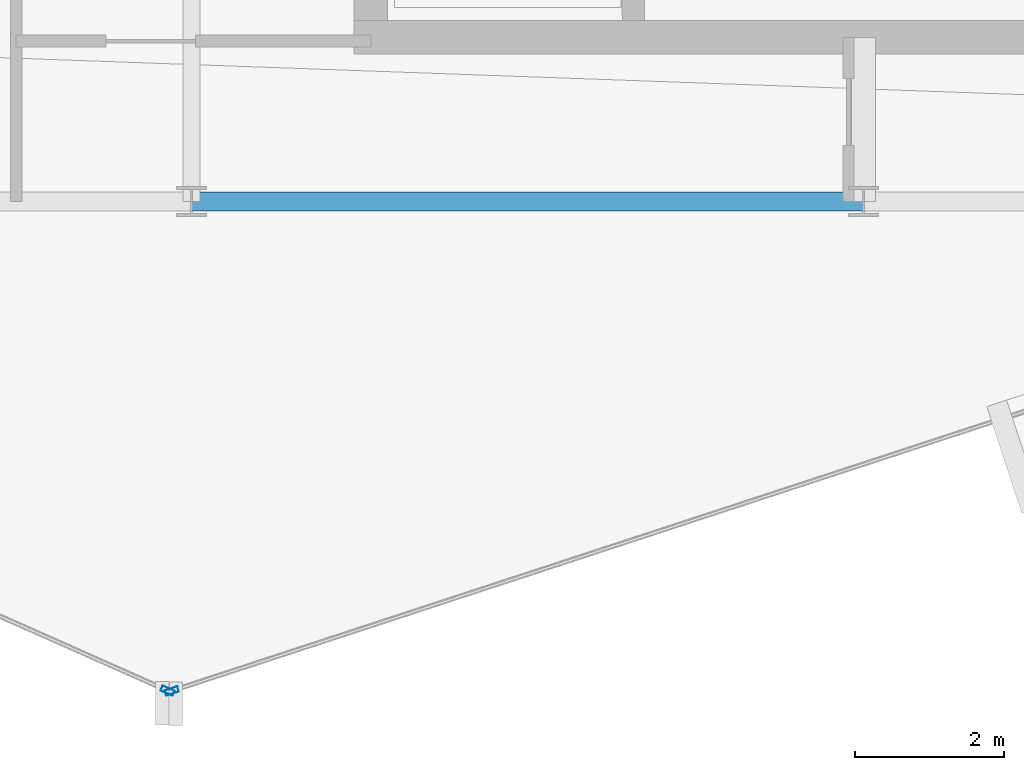
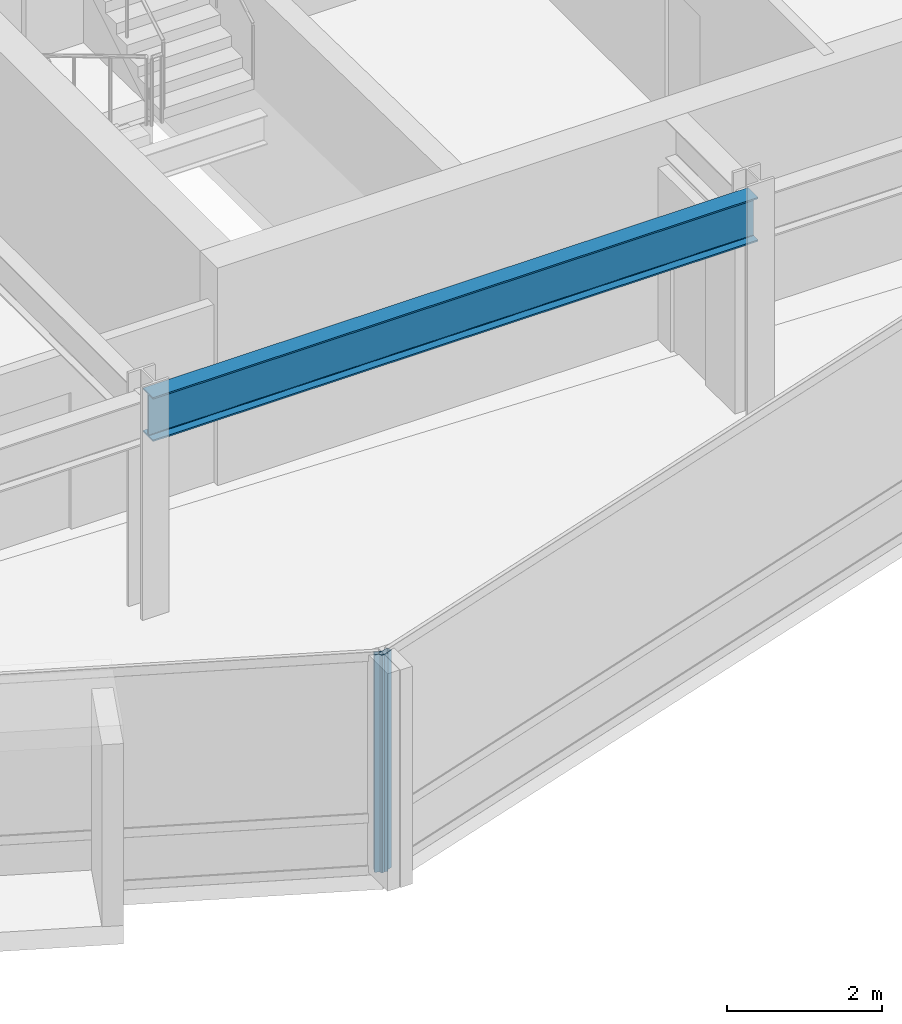
# One storey, part 4 of 27: 2 members, 1 beam, 2 elements without a shape of their own.
"""IFC4 building model written with IfcOpenShell, lengths in metres."""

from ifc_helpers import new_model, si_unit, direction, frame, origin, origin_2d, place, context, subcontext, project, spatial, hollow_rectangle, i_section, extrude, material, layer, layer_set, material_profile, profile_set, type_object, element, aggregate, save


model = new_model("IFC4")

# Units and contexts
model_context = context("Model", 3, precision=1e-05, world=origin(), true_north=direction((0.0, 1.0)))
body_context = subcontext(model_context, "Body", "Model", "MODEL_VIEW")
ifc_project = project(units=[si_unit("LENGTHUNIT", "METRE"), si_unit("AREAUNIT", "SQUARE_METRE"), si_unit("VOLUMEUNIT", "CUBIC_METRE"), si_unit("PLANEANGLEUNIT", "RADIAN"), si_unit("MASSUNIT", "GRAM", prefix="KILO")], contexts=[model_context])

# Site, building, storey
site_placement = place(None, origin())
site = spatial("IfcSite", under=ifc_project, at=site_placement, CompositionType="ELEMENT")
building_placement = place(site_placement, origin())
building = spatial("IfcBuilding", under=site, at=building_placement, Name="Solvaryn Broadcast Tower", CompositionType="ELEMENT")
storey_placement = place(building_placement, frame((0.0, 0.0, 228.39990234375)))
storey = spatial("IfcBuildingStorey", under=building, at=storey_placement, Name="L57", CompositionType="ELEMENT", Elevation=228.39990234375)

# Beam
ifc_material_1 = material(Name="Steel ASTM A992 Grade 50", Category="steel")
ifc_material_profile_1 = material_profile(ifc_material_1, i_section(OverallWidth=0.256103515625, OverallDepth=0.693115234375, WebThickness=0.014404296875, FlangeThickness=0.023681640625, FilletRadius=0.01611328125, at=origin_2d()))
ifc_profile_set_1 = profile_set([ifc_material_profile_1], Name="Steel ASTM A992 Grade 50")
beam_type = type_object("IfcBeamType", Name="BM-SP3-W27X114", PredefinedType="USERDEFINED", material=ifc_profile_set_1)
beam_placement = place(storey_placement, frame((27.0, 9.0, 3.073486328125), z_axis=(1.0, 0.0, 0.0), x_axis=(0.0, 1.0, 0.0)))
element("IfcBeam", 1, at=beam_placement, inside=storey, type_object=beam_type, Name="L57 Spandrel Beam X (27-36 @ Y=9)", ObjectType="SPANDREL", PredefinedType="USERDEFINED", context=body_context, shape_type="SweptSolid", body=[
    extrude(i_section(OverallWidth=0.256103515625, OverallDepth=0.693115234375, WebThickness=0.014404296875, FlangeThickness=0.023681640625, FilletRadius=0.01611328125, at=origin_2d()), origin(), (0.0, 0.0, 1.0), 9.0),
])

# Curtain wall, member
ifc_material_2 = material(Name="Aluminium and Terracotta Unitised Curtain Wall", Category="masonry")
ifc_layer = layer(ifc_material_2, 0.199951171875)
ifc_layer_set = layer_set([ifc_layer], Name="CW-SYS2-LOWMID")
curtain_wall_type = type_object("IfcCurtainWallType", Name="CW-SYS2-LOWMID", PredefinedType="NOTDEFINED", material=ifc_layer_set)
curtain_wall_1_placement = place(storey_placement, origin())
curtain_wall_1 = element("IfcCurtainWall", 2, at=curtain_wall_1_placement, inside=storey, type_object=curtain_wall_type, Name="L57 Curtain Wall DR3", PredefinedType="NOTDEFINED")
ifc_material_3 = material(Name="Anodised Aluminium 6063-T6", Category="aluminium")
ifc_material_profile_2 = material_profile(ifc_material_3, hollow_rectangle(XDim=0.074951171875, YDim=0.179931640625, WallThickness=0.00390625, InnerFilletRadius=0.00390625, OuterFilletRadius=0.008056640625, at=origin_2d()))
ifc_profile_set_2 = profile_set([ifc_material_profile_2], Name="Anodised Aluminium 6063-T6")
member_type = type_object("IfcMemberType", Name="CW-MUL-180", PredefinedType="MULLION", material=ifc_profile_set_2)
member_1_placement = place(storey_placement, frame((26.678466796875, 2.445068359375, 0.0), z_axis=(0.0, 0.0, 1.0), x_axis=(0.405901337237, 0.913916902365, 0.0)))
member_1 = element("IfcMember", 3, at=member_1_placement, type_object=member_type, Name="CWS2 mullion 2", PredefinedType="MULLION", context=body_context, shape_type="SweptSolid", body=[
    extrude(hollow_rectangle(XDim=0.074951171875, YDim=0.179931640625, WallThickness=0.00390625, InnerFilletRadius=0.00390625, OuterFilletRadius=0.008056640625, at=origin_2d()), origin(), (0.0, 0.0, 1.0), 3.420166015625),
])
aggregate(curtain_wall_1, [member_1])

curtain_wall_2_placement = place(storey_placement, origin())
curtain_wall_2 = element("IfcCurtainWall", 4, at=curtain_wall_2_placement, inside=storey, type_object=curtain_wall_type, Name="L57 Curtain Wall DR4", PredefinedType="NOTDEFINED")
member_2_placement = place(storey_placement, frame((26.734619140625, 2.4423828125, 0.0), z_axis=(0.0, 0.0, 1.0), x_axis=(-0.311558717623, 0.950226902099, 0.0)))
member_2 = element("IfcMember", 5, at=member_2_placement, type_object=member_type, Name="CWS2 mullion 1", PredefinedType="MULLION", context=body_context, shape_type="SweptSolid", body=[
    extrude(hollow_rectangle(XDim=0.074951171875, YDim=0.179931640625, WallThickness=0.00390625, InnerFilletRadius=0.00390625, OuterFilletRadius=0.008056640625, at=origin_2d()), origin(), (0.0, 0.0, 1.0), 3.420166015625),
])
aggregate(curtain_wall_2, [member_2])

save(model, "model.ifc")
